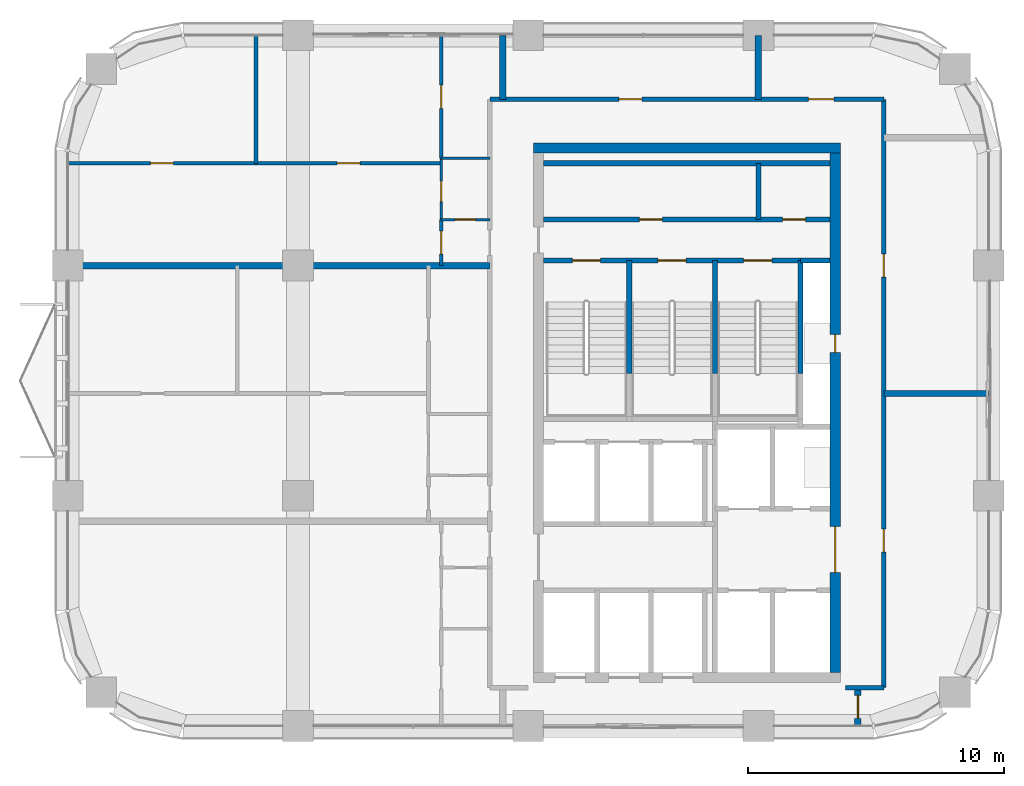
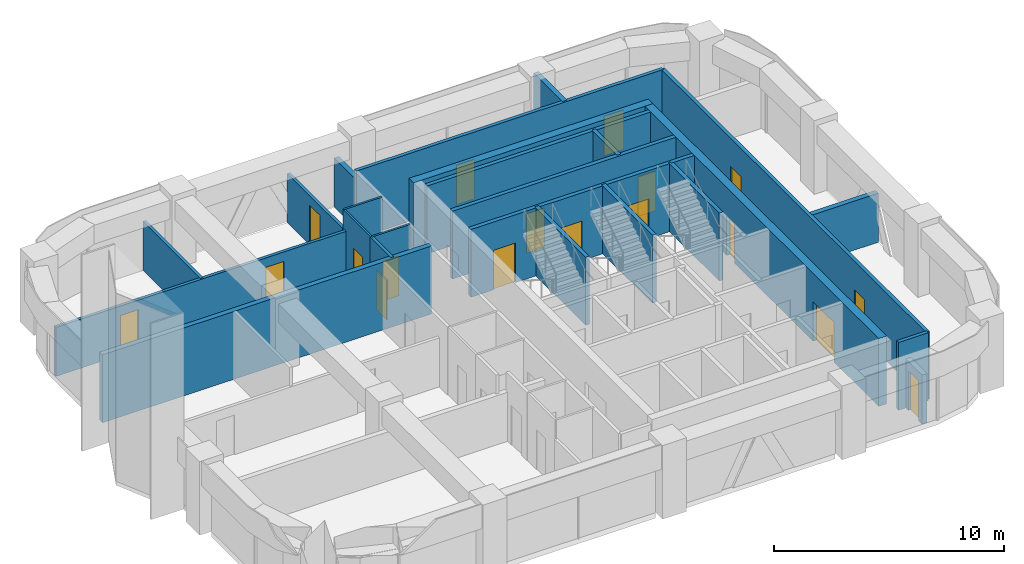
# One storey, part 8 of 10: 25 walls, 18 doors, 18 openings.
"""IFC4 building model written with IfcOpenShell, lengths in metres."""

from ifc_helpers import new_model, si_unit, direction, frame, frame_2d, origin, place, context, subcontext, project, spatial, rectangle, extrude, material, layer, layer_set, type_object, element, fill, save


model = new_model("IFC4")

# Units and contexts
model_context = context("Model", 3, precision=1e-05, world=origin(), true_north=direction((0.0, 1.0)))
body_context = subcontext(model_context, "Body", "Model", "MODEL_VIEW")
ifc_project = project(units=[si_unit("LENGTHUNIT", "METRE"), si_unit("AREAUNIT", "SQUARE_METRE"), si_unit("VOLUMEUNIT", "CUBIC_METRE"), si_unit("PLANEANGLEUNIT", "RADIAN"), si_unit("MASSUNIT", "GRAM", prefix="KILO")], contexts=[model_context])

# Site, building, storey
site_placement = place(None, origin())
site = spatial("IfcSite", under=ifc_project, at=site_placement, CompositionType="ELEMENT")
building_placement = place(site_placement, origin())
building = spatial("IfcBuilding", under=site, at=building_placement, Name="Tessera Arch", CompositionType="ELEMENT")
storey_placement = place(building_placement, frame((0.0, 0.0, 238.39990234375)))
storey = spatial("IfcBuildingStorey", under=building, at=storey_placement, Name="L57", CompositionType="ELEMENT", Elevation=238.39990234375)

# Wall
ifc_material_1 = material(Name="Gypsum board on steel stud", Category="steel")
ifc_layer_1 = layer(ifc_material_1, 0.125)
ifc_layer_set_1 = layer_set([ifc_layer_1], Name="Core partition 125 EI 60")
wall_type_1 = type_object("IfcWallType", Name="Core partition 125 EI 60", PredefinedType="PARTITIONING", material=ifc_layer_set_1)
wall_1_placement = place(storey_placement, frame((45.0, 46.800048828125, 0.0), z_axis=(0.0, 0.0, 1.0), x_axis=(0.0, 1.0, 0.0)))
element("IfcWall", 1, at=wall_1_placement, inside=storey, type_object=wall_type_1, Name="L57 C1 partition wall 12", PredefinedType="PARTITIONING", context=body_context, shape_type="SweptSolid", body=[
    extrude(rectangle(XDim=2.199951171875, YDim=0.199951171875, at=frame_2d((1.10009765625, 0.0))), origin(), (0.0, 0.0, 1.0), 3.60009765625),
])

# Wall, openings, doors
wall_2_placement = place(storey_placement, frame((36.60009765625, 46.800048828125, 0.0), z_axis=(0.0, 0.0, 1.0), x_axis=(1.0, 0.0, 0.0)))
wall_2 = element("IfcWall", 2, at=wall_2_placement, inside=storey, type_object=wall_type_1, Name="L57 C1 partition wall 31", PredefinedType="PARTITIONING", context=body_context, shape_type="SweptSolid", body=[
    extrude(rectangle(XDim=11.199951171875, YDim=0.199951171875, at=frame_2d((5.60009765625, 0.0))), origin(), (0.0, 0.0, 1.0), 3.60009765625),
])
opening_1_placement = place(wall_2_placement, frame((3.75, 0.0, 0.0)))
opening_1 = element("IfcOpeningElement", 3, at=opening_1_placement, cuts=wall_2, Name="Opening L57-C18", PredefinedType="OPENING", context=body_context, shape_type="SweptSolid", body=[
    extrude(rectangle(XDim=0.89990234375, YDim=2.10009765625, at=frame_2d((0.449951171875, 1.050048828125))), frame((0.0, 0.10986328125, 0.0), z_axis=(0.0, -1.0, 0.0), x_axis=(1.0, 0.0, 0.0)), (0.0, 0.0, 1.0), 0.219970703125),
])
opening_2_placement = place(wall_2_placement, frame((9.35009765625, 0.0, 0.0)))
opening_2 = element("IfcOpeningElement", 4, at=opening_2_placement, cuts=wall_2, Name="Opening L57-C19", PredefinedType="OPENING", context=body_context, shape_type="SweptSolid", body=[
    extrude(rectangle(XDim=0.89990234375, YDim=2.10009765625, at=frame_2d((0.449951171875, 1.050048828125))), frame((0.0, 0.10986328125, 0.0), z_axis=(0.0, -1.0, 0.0), x_axis=(1.0, 0.0, 0.0)), (0.0, 0.0, 1.0), 0.219970703125),
])
ifc_material_2 = material(Name="Steel door leaf", Category="steel")
door_type_1 = type_object("IfcDoorType", Name="Store door FD30S 900 x 2100", OperationType="SINGLE_SWING_LEFT", PredefinedType="DOOR", material=ifc_material_2)
door_1_placement = place(opening_1_placement, origin())
door_1 = element("IfcDoor", 5, at=door_1_placement, inside=storey, type_object=door_type_1, Name="L57 C1 door 18 C18 type D09", OperationType="SINGLE_SWING_LEFT", OverallHeight=2.10009765625, OverallWidth=0.89990234375, PredefinedType="DOOR", context=body_context, shape_type="SweptSolid", body=[
    extrude(rectangle(XDim=0.89990234375, YDim=2.10009765625, at=frame_2d((0.449951171875, 1.050048828125))), frame((0.0, 0.02490234375, 0.0), z_axis=(0.0, -1.0, 0.0), x_axis=(1.0, 0.0, 0.0)), (0.0, 0.0, 1.0), 0.050048828125),
])
fill(opening_1, door_1)
door_2_placement = place(opening_2_placement, origin())
door_2 = element("IfcDoor", 6, at=door_2_placement, inside=storey, type_object=door_type_1, Name="L57 C1 door 19 C19 type D09", OperationType="SINGLE_SWING_RIGHT", OverallHeight=2.10009765625, OverallWidth=0.89990234375, PredefinedType="DOOR", context=body_context, shape_type="SweptSolid", body=[
    extrude(rectangle(XDim=0.89990234375, YDim=2.10009765625, at=frame_2d((0.449951171875, 1.050048828125))), frame((0.0, 0.02490234375, 0.0), z_axis=(0.0, -1.0, 0.0), x_axis=(1.0, 0.0, 0.0)), (0.0, 0.0, 1.0), 0.050048828125),
])
fill(opening_2, door_2)

# Walls
wall_3_placement = place(storey_placement, frame((36.60009765625, 49.0, 0.0), z_axis=(0.0, 0.0, 1.0), x_axis=(1.0, 0.0, 0.0)))
element("IfcWall", 7, at=wall_3_placement, inside=storey, type_object=wall_type_1, Name="L57 C1 partition wall 32", PredefinedType="PARTITIONING", context=body_context, shape_type="SweptSolid", body=[
    extrude(rectangle(XDim=11.199951171875, YDim=0.199951171875, at=frame_2d((5.60009765625, 0.0))), origin(), (0.0, 0.0, 1.0), 3.60009765625),
])
ifc_material_3 = material(Name="Concrete C50/60", Category="concrete")
ifc_layer_2 = layer(ifc_material_3, 0.39990234375)
ifc_layer_set_2 = layer_set([ifc_layer_2], Name="Core shell wall 400 C50-60")
wall_type_2 = type_object("IfcWallType", Name="Core shell wall 400 C50-60", PredefinedType="SHEAR", material=ifc_layer_set_2)
wall_4_placement = place(storey_placement, frame((36.199951171875, 49.60009765625, 0.0), z_axis=(0.0, 0.0, 1.0), x_axis=(1.0, 0.0, 0.0)))
element("IfcWall", 8, at=wall_4_placement, inside=storey, type_object=wall_type_2, Name="L57 C1 core wall N", PredefinedType="SHEAR", context=body_context, shape_type="SweptSolid", body=[
    extrude(rectangle(XDim=12.0, YDim=0.39990234375, at=frame_2d((6.0, 0.0))), origin(), (0.0, 0.0, 1.0), 3.60009765625),
])

# Wall, openings, doors
wall_5_placement = place(storey_placement, frame((48.0, 29.10009765625, 0.0), z_axis=(0.0, 0.0, 1.0), x_axis=(0.0, 1.0, 0.0)))
wall_5 = element("IfcWall", 9, at=wall_5_placement, inside=storey, type_object=wall_type_2, Name="L57 C1 core wall E", PredefinedType="SHEAR", context=body_context, shape_type="SweptSolid", body=[
    extrude(rectangle(XDim=20.2998046875, YDim=0.39990234375, at=frame_2d((10.14990234375, 0.0))), origin(), (0.0, 0.0, 1.0), 3.60009765625),
])
opening_3_placement = place(wall_5_placement, frame((12.5, 0.0, 0.0)))
opening_3 = element("IfcOpeningElement", 10, at=opening_3_placement, cuts=wall_5, Name="Opening L57-C14", PredefinedType="OPENING", context=body_context, shape_type="SweptSolid", body=[
    extrude(rectangle(XDim=0.699951171875, YDim=2.10009765625, at=frame_2d((0.35009765625, 1.050048828125))), frame((0.0, 0.2099609375, 0.0), z_axis=(0.0, -1.0, 0.0), x_axis=(1.0, 0.0, 0.0)), (0.0, 0.0, 1.0), 0.419921875),
])
opening_4_placement = place(wall_5_placement, frame((3.89990234375, 0.0, 0.0)))
opening_4 = element("IfcOpeningElement", 11, at=opening_4_placement, cuts=wall_5, Name="Opening L57-C15", PredefinedType="OPENING", context=body_context, shape_type="SweptSolid", body=[
    extrude(rectangle(XDim=1.800048828125, YDim=2.10009765625, at=frame_2d((0.89990234375, 1.050048828125))), frame((0.0, 0.2099609375, 0.0), z_axis=(0.0, -1.0, 0.0), x_axis=(1.0, 0.0, 0.0)), (0.0, 0.0, 1.0), 0.419921875),
])
ifc_material_4 = material(Name="Glazed steel door leaf", Category="steel")
door_type_2 = type_object("IfcDoorType", Name="Lobby double door FD60 1800 x 2100", OperationType="DOUBLE_DOOR_SINGLE_SWING", PredefinedType="DOOR", material=ifc_material_4)
door_3_placement = place(opening_4_placement, origin())
door_3 = element("IfcDoor", 12, at=door_3_placement, inside=storey, type_object=door_type_2, Name="L57 C1 door 15 C15 type D19", OperationType="DOUBLE_DOOR_SINGLE_SWING", OverallHeight=2.10009765625, OverallWidth=1.800048828125, PredefinedType="DOOR", context=body_context, shape_type="SweptSolid", body=[
    extrude(rectangle(XDim=1.800048828125, YDim=2.10009765625, at=frame_2d((0.89990234375, 1.050048828125))), frame((0.0, 0.02490234375, 0.0), z_axis=(0.0, -1.0, 0.0), x_axis=(1.0, 0.0, 0.0)), (0.0, 0.0, 1.0), 0.050048828125),
])
fill(opening_4, door_3)
ifc_material_5 = material(Name="Steel door leaf", Category="steel")
door_type_3 = type_object("IfcDoorType", Name="Service shaft door FD60 700 x 2100", OperationType="SINGLE_SWING_LEFT", PredefinedType="DOOR", material=ifc_material_5)
door_4_placement = place(opening_3_placement, origin())
door_4 = element("IfcDoor", 13, at=door_4_placement, inside=storey, type_object=door_type_3, Name="L57 C1 door 14 C14 type D07", OperationType="SINGLE_SWING_RIGHT", OverallHeight=2.10009765625, OverallWidth=0.699951171875, PredefinedType="DOOR", context=body_context, shape_type="SweptSolid", body=[
    extrude(rectangle(XDim=0.699951171875, YDim=2.10009765625, at=frame_2d((0.35009765625, 1.050048828125))), frame((0.0, 0.02490234375, 0.0), z_axis=(0.0, -1.0, 0.0), x_axis=(1.0, 0.0, 0.0)), (0.0, 0.0, 1.0), 0.050048828125),
])
fill(opening_3, door_4)

# Wall
ifc_material_6 = material(Name="Gypsum board on deep steel stud with mineral wool", Category="steel")
ifc_layer_3 = layer(ifc_material_6, 0.175048828125)
ifc_layer_set_3 = layer_set([ifc_layer_3], Name="Corridor wall 175 EI 60")
wall_type_3 = type_object("IfcWallType", Name="Corridor wall 175 EI 60", PredefinedType="PARTITIONING", material=ifc_layer_set_3)
wall_6_placement = place(storey_placement, frame((48.39990234375, 28.5, 0.0), z_axis=(0.0, 0.0, 1.0), x_axis=(1.0, 0.0, 0.0)))
element("IfcWall", 14, at=wall_6_placement, inside=storey, type_object=wall_type_3, Name="L57 partition 2", PredefinedType="PARTITIONING", context=body_context, shape_type="SweptSolid", body=[
    extrude(rectangle(XDim=1.5, YDim=0.175048828125, at=frame_2d((0.75, 0.0))), origin(), (0.0, 0.0, 1.0), 3.60009765625),
])

# Wall, openings, doors
wall_7_placement = place(storey_placement, frame((34.5, 51.5, 0.0), z_axis=(0.0, 0.0, 1.0), x_axis=(1.0, 0.0, 0.0)))
wall_7 = element("IfcWall", 15, at=wall_7_placement, inside=storey, type_object=wall_type_3, Name="L57 partition 3", PredefinedType="PARTITIONING", context=body_context, shape_type="SweptSolid", body=[
    extrude(rectangle(XDim=15.39990234375, YDim=0.175048828125, at=frame_2d((7.699951171875, 0.0))), origin(), (0.0, 0.0, 1.0), 3.60009765625),
])
opening_5_placement = place(wall_7_placement, frame((12.449951171875, 0.0, 0.0)))
opening_5 = element("IfcOpeningElement", 16, at=opening_5_placement, cuts=wall_7, Name="Opening L57-D022", PredefinedType="OPENING", context=body_context, shape_type="SweptSolid", body=[
    extrude(rectangle(XDim=1.0, YDim=2.10009765625, at=frame_2d((0.5, 1.050048828125))), frame((0.0, 0.097412109375, 0.0), z_axis=(0.0, -1.0, 0.0), x_axis=(1.0, 0.0, 0.0)), (0.0, 0.0, 1.0), 0.195068359375),
])
opening_6_placement = place(wall_7_placement, frame((5.050048828125, 0.0, 0.0)))
opening_6 = element("IfcOpeningElement", 17, at=opening_6_placement, cuts=wall_7, Name="Opening L57-D023", PredefinedType="OPENING", context=body_context, shape_type="SweptSolid", body=[
    extrude(rectangle(XDim=0.89990234375, YDim=2.10009765625, at=frame_2d((0.449951171875, 1.050048828125))), frame((0.0, 0.097412109375, 0.0), z_axis=(0.0, -1.0, 0.0), x_axis=(1.0, 0.0, 0.0)), (0.0, 0.0, 1.0), 0.195068359375),
])
ifc_material_7 = material(Name="Fire-rated door leaf")
door_type_4 = type_object("IfcDoorType", Name="Entrance door FD30S 1000 x 2100", OperationType="SINGLE_SWING_LEFT", PredefinedType="DOOR", material=ifc_material_7)
door_5_placement = place(opening_5_placement, origin())
door_5 = element("IfcDoor", 18, at=door_5_placement, inside=storey, type_object=door_type_4, Name="L57 door D022 type D03", OperationType="SINGLE_SWING_LEFT", OverallHeight=2.10009765625, OverallWidth=1.0, PredefinedType="DOOR", context=body_context, shape_type="SweptSolid", body=[
    extrude(rectangle(XDim=1.0, YDim=2.10009765625, at=frame_2d((0.5, 1.050048828125))), frame((0.0, 0.02490234375, 0.0), z_axis=(0.0, -1.0, 0.0), x_axis=(1.0, 0.0, 0.0)), (0.0, 0.0, 1.0), 0.050048828125),
])
fill(opening_5, door_5)
ifc_material_8 = material(Name="Timber door leaf", Category="wood")
door_type_5 = type_object("IfcDoorType", Name="Room door 900 x 2100", OperationType="SINGLE_SWING_LEFT", PredefinedType="DOOR", material=ifc_material_8)
door_6_placement = place(opening_6_placement, origin())
door_6 = element("IfcDoor", 19, at=door_6_placement, inside=storey, type_object=door_type_5, Name="L57 door D023 type D01", OperationType="SINGLE_SWING_RIGHT", OverallHeight=2.10009765625, OverallWidth=0.89990234375, PredefinedType="DOOR", context=body_context, shape_type="SweptSolid", body=[
    extrude(rectangle(XDim=0.89990234375, YDim=2.10009765625, at=frame_2d((0.449951171875, 1.050048828125))), frame((0.0, 0.02490234375, 0.0), z_axis=(0.0, -1.0, 0.0), x_axis=(1.0, 0.0, 0.0)), (0.0, 0.0, 1.0), 0.050048828125),
])
fill(opening_6, door_6)

wall_8_placement = place(storey_placement, frame((49.89990234375, 28.5, 0.0), z_axis=(0.0, 0.0, 1.0), x_axis=(0.0, 1.0, 0.0)))
wall_8 = element("IfcWall", 20, at=wall_8_placement, inside=storey, type_object=wall_type_3, Name="L57 partition 5", PredefinedType="PARTITIONING", context=body_context, shape_type="SweptSolid", body=[
    extrude(rectangle(XDim=23.0, YDim=0.175048828125, at=frame_2d((11.5, 0.0))), origin(), (0.0, 0.0, 1.0), 3.60009765625),
])
opening_7_placement = place(wall_8_placement, frame((5.300048828125, 0.0, 0.0)))
opening_7 = element("IfcOpeningElement", 21, at=opening_7_placement, cuts=wall_8, Name="Opening L57-D006", PredefinedType="OPENING", context=body_context, shape_type="SweptSolid", body=[
    extrude(rectangle(XDim=0.89990234375, YDim=2.10009765625, at=frame_2d((0.449951171875, 1.050048828125))), frame((0.0, 0.097412109375, 0.0), z_axis=(0.0, -1.0, 0.0), x_axis=(1.0, 0.0, 0.0)), (0.0, 0.0, 1.0), 0.195068359375),
])
opening_8_placement = place(wall_8_placement, frame((16.050048828125, 0.0, 0.0)))
opening_8 = element("IfcOpeningElement", 22, at=opening_8_placement, cuts=wall_8, Name="Opening L57-D014", PredefinedType="OPENING", context=body_context, shape_type="SweptSolid", body=[
    extrude(rectangle(XDim=0.89990234375, YDim=2.10009765625, at=frame_2d((0.449951171875, 1.050048828125))), frame((0.0, 0.097412109375, 0.0), z_axis=(0.0, -1.0, 0.0), x_axis=(1.0, 0.0, 0.0)), (0.0, 0.0, 1.0), 0.195068359375),
])
door_7_placement = place(opening_7_placement, origin())
door_7 = element("IfcDoor", 23, at=door_7_placement, inside=storey, type_object=door_type_5, Name="L57 door D006 type D01", OperationType="SINGLE_SWING_RIGHT", OverallHeight=2.10009765625, OverallWidth=0.89990234375, PredefinedType="DOOR", context=body_context, shape_type="SweptSolid", body=[
    extrude(rectangle(XDim=0.89990234375, YDim=2.10009765625, at=frame_2d((0.449951171875, 1.050048828125))), frame((0.0, 0.02490234375, 0.0), z_axis=(0.0, -1.0, 0.0), x_axis=(1.0, 0.0, 0.0)), (0.0, 0.0, 1.0), 0.050048828125),
])
fill(opening_7, door_7)
door_8_placement = place(opening_8_placement, origin())
door_8 = element("IfcDoor", 24, at=door_8_placement, inside=storey, type_object=door_type_5, Name="L57 door D014 type D01", OperationType="SINGLE_SWING_RIGHT", OverallHeight=2.10009765625, OverallWidth=0.89990234375, PredefinedType="DOOR", context=body_context, shape_type="SweptSolid", body=[
    extrude(rectangle(XDim=0.89990234375, YDim=2.10009765625, at=frame_2d((0.449951171875, 1.050048828125))), frame((0.0, 0.02490234375, 0.0), z_axis=(0.0, -1.0, 0.0), x_axis=(1.0, 0.0, 0.0)), (0.0, 0.0, 1.0), 0.050048828125),
])
fill(opening_8, door_8)

ifc_material_9 = material(Name="Gypsum board on steel stud", Category="steel")
ifc_layer_4 = layer(ifc_material_9, 0.14990234375)
ifc_layer_set_4 = layer_set([ifc_layer_4], Name="Partition 150")
wall_type_4 = type_object("IfcWallType", Name="Partition 150", PredefinedType="PARTITIONING", material=ifc_layer_set_4)
wall_9_placement = place(storey_placement, frame((18.0, 49.0, 0.0), z_axis=(0.0, 0.0, 1.0), x_axis=(1.0, 0.0, 0.0)))
wall_9 = element("IfcWall", 25, at=wall_9_placement, inside=storey, type_object=wall_type_4, Name="L57 partition 7", PredefinedType="PARTITIONING", context=body_context, shape_type="SweptSolid", body=[
    extrude(rectangle(XDim=14.60009765625, YDim=0.14990234375, at=frame_2d((7.300048828125, 0.0))), origin(), (0.0, 0.0, 1.0), 2.60009765625),
])
opening_9_placement = place(wall_9_placement, frame((10.53271484375, 0.0, 0.0)))
opening_9 = element("IfcOpeningElement", 26, at=opening_9_placement, cuts=wall_9, Name="Opening L57-D020", PredefinedType="OPENING", context=body_context, shape_type="SweptSolid", body=[
    extrude(rectangle(XDim=0.89990234375, YDim=2.10009765625, at=frame_2d((0.449951171875, 1.050048828125))), frame((0.0, 0.0849609375, 0.0), z_axis=(0.0, -1.0, 0.0), x_axis=(1.0, 0.0, 0.0)), (0.0, 0.0, 1.0), 0.169921875),
])
opening_10_placement = place(wall_9_placement, frame((3.23291015625, 0.0, 0.0)))
opening_10 = element("IfcOpeningElement", 27, at=opening_10_placement, cuts=wall_9, Name="Opening L57-D021", PredefinedType="OPENING", context=body_context, shape_type="SweptSolid", body=[
    extrude(rectangle(XDim=0.89990234375, YDim=2.10009765625, at=frame_2d((0.449951171875, 1.050048828125))), frame((0.0, 0.0849609375, 0.0), z_axis=(0.0, -1.0, 0.0), x_axis=(1.0, 0.0, 0.0)), (0.0, 0.0, 1.0), 0.169921875),
])
door_9_placement = place(opening_9_placement, origin())
door_9 = element("IfcDoor", 28, at=door_9_placement, inside=storey, type_object=door_type_5, Name="L57 door D020 type D01", OperationType="SINGLE_SWING_RIGHT", OverallHeight=2.10009765625, OverallWidth=0.89990234375, PredefinedType="DOOR", context=body_context, shape_type="SweptSolid", body=[
    extrude(rectangle(XDim=0.89990234375, YDim=2.10009765625, at=frame_2d((0.449951171875, 1.050048828125))), frame((0.0, 0.02490234375, 0.0), z_axis=(0.0, -1.0, 0.0), x_axis=(1.0, 0.0, 0.0)), (0.0, 0.0, 1.0), 0.050048828125),
])
fill(opening_9, door_9)
door_10_placement = place(opening_10_placement, origin())
door_10 = element("IfcDoor", 29, at=door_10_placement, inside=storey, type_object=door_type_5, Name="L57 door D021 type D01", OperationType="SINGLE_SWING_RIGHT", OverallHeight=2.10009765625, OverallWidth=0.89990234375, PredefinedType="DOOR", context=body_context, shape_type="SweptSolid", body=[
    extrude(rectangle(XDim=0.89990234375, YDim=2.10009765625, at=frame_2d((0.449951171875, 1.050048828125))), frame((0.0, 0.02490234375, 0.0), z_axis=(0.0, -1.0, 0.0), x_axis=(1.0, 0.0, 0.0)), (0.0, 0.0, 1.0), 0.050048828125),
])
fill(opening_10, door_10)

# Wall
wall_10_placement = place(storey_placement, frame((25.365966796875, 49.0, 0.0), z_axis=(0.0, 0.0, 1.0), x_axis=(0.0, 1.0, 0.0)))
element("IfcWall", 30, at=wall_10_placement, inside=storey, type_object=wall_type_4, Name="L57 partition 9", PredefinedType="PARTITIONING", context=body_context, shape_type="SweptSolid", body=[
    extrude(rectangle(XDim=5.0, YDim=0.14990234375, at=frame_2d((2.5, 0.0))), origin(), (0.0, 0.0, 1.0), 2.60009765625),
])

# Wall, opening, door
wall_11_placement = place(storey_placement, frame((32.60009765625, 45.0, 0.0), z_axis=(0.0, 0.0, 1.0), x_axis=(0.0, 1.0, 0.0)))
wall_11 = element("IfcWall", 31, at=wall_11_placement, inside=storey, type_object=wall_type_4, Name="L57 partition 14", PredefinedType="PARTITIONING", context=body_context, shape_type="SweptSolid", body=[
    extrude(rectangle(XDim=1.800048828125, YDim=0.14990234375, at=frame_2d((0.89990234375, 0.0))), origin(), (0.0, 0.0, 1.0), 3.60009765625),
])
opening_11_placement = place(wall_11_placement, frame((0.449951171875, 0.0, 0.0)))
opening_11 = element("IfcOpeningElement", 32, at=opening_11_placement, cuts=wall_11, Name="Opening L57-D016", PredefinedType="OPENING", context=body_context, shape_type="SweptSolid", body=[
    extrude(rectangle(XDim=0.89990234375, YDim=2.10009765625, at=frame_2d((0.449951171875, 1.050048828125))), frame((0.0, 0.0849609375, 0.0), z_axis=(0.0, -1.0, 0.0), x_axis=(1.0, 0.0, 0.0)), (0.0, 0.0, 1.0), 0.169921875),
])
door_11_placement = place(opening_11_placement, origin())
door_11 = element("IfcDoor", 33, at=door_11_placement, inside=storey, type_object=door_type_5, Name="L57 door D016 type D01", OperationType="SINGLE_SWING_LEFT", OverallHeight=2.10009765625, OverallWidth=0.89990234375, PredefinedType="DOOR", context=body_context, shape_type="SweptSolid", body=[
    extrude(rectangle(XDim=0.89990234375, YDim=2.10009765625, at=frame_2d((0.449951171875, 1.050048828125))), frame((0.0, 0.02490234375, 0.0), z_axis=(0.0, -1.0, 0.0), x_axis=(1.0, 0.0, 0.0)), (0.0, 0.0, 1.0), 0.050048828125),
])
fill(opening_11, door_11)

wall_12_placement = place(storey_placement, frame((32.60009765625, 49.199951171875, 0.0), z_axis=(0.0, 0.0, 1.0), x_axis=(0.0, 1.0, 0.0)))
wall_12 = element("IfcWall", 34, at=wall_12_placement, inside=storey, type_object=wall_type_4, Name="L57 partition 15", PredefinedType="PARTITIONING", context=body_context, shape_type="SweptSolid", body=[
    extrude(rectangle(XDim=4.800048828125, YDim=0.14990234375, at=frame_2d((2.39990234375, 0.0))), origin(), (0.0, 0.0, 1.0), 2.60009765625),
])
opening_12_placement = place(wall_12_placement, frame((1.949951171875, 0.0, 0.0)))
opening_12 = element("IfcOpeningElement", 35, at=opening_12_placement, cuts=wall_12, Name="Opening L57-D019", PredefinedType="OPENING", context=body_context, shape_type="SweptSolid", body=[
    extrude(rectangle(XDim=0.89990234375, YDim=2.10009765625, at=frame_2d((0.449951171875, 1.050048828125))), frame((0.0, 0.0849609375, 0.0), z_axis=(0.0, -1.0, 0.0), x_axis=(1.0, 0.0, 0.0)), (0.0, 0.0, 1.0), 0.169921875),
])
door_12_placement = place(opening_12_placement, origin())
door_12 = element("IfcDoor", 36, at=door_12_placement, inside=storey, type_object=door_type_5, Name="L57 door D019 type D01", OperationType="SINGLE_SWING_LEFT", OverallHeight=2.10009765625, OverallWidth=0.89990234375, PredefinedType="DOOR", context=body_context, shape_type="SweptSolid", body=[
    extrude(rectangle(XDim=0.89990234375, YDim=2.10009765625, at=frame_2d((0.449951171875, 1.050048828125))), frame((0.0, 0.02490234375, 0.0), z_axis=(0.0, -1.0, 0.0), x_axis=(1.0, 0.0, 0.0)), (0.0, 0.0, 1.0), 0.050048828125),
])
fill(opening_12, door_12)

# Walls
ifc_material_10 = material(Name="Double gypsum board on twin steel stud with acoustic mineral wool", Category="steel")
ifc_layer_5 = layer(ifc_material_10, 0.25)
ifc_layer_set_5 = layer_set([ifc_layer_5], Name="Party wall 250 EI 60")
wall_type_5 = type_object("IfcWallType", Name="Party wall 250 EI 60", PredefinedType="PARTITIONING", material=ifc_layer_set_5)
wall_13_placement = place(storey_placement, frame((49.89990234375, 40.0, 0.0), z_axis=(0.0, 0.0, 1.0), x_axis=(1.0, 0.0, 0.0)))
element("IfcWall", 37, at=wall_13_placement, inside=storey, type_object=wall_type_5, Name="L57 partition 17", PredefinedType="PARTITIONING", context=body_context, shape_type="SweptSolid", body=[
    extrude(rectangle(XDim=4.10009765625, YDim=0.25, at=frame_2d((2.050048828125, 0.0))), origin(), (0.0, 0.0, 1.0), 2.60009765625),
])
wall_14_placement = place(storey_placement, frame((18.0, 45.0, 0.0), z_axis=(0.0, 0.0, 1.0), x_axis=(1.0, 0.0, 0.0)))
element("IfcWall", 38, at=wall_14_placement, inside=storey, type_object=wall_type_5, Name="L57 partition 18", PredefinedType="PARTITIONING", context=body_context, shape_type="SweptSolid", body=[
    extrude(rectangle(XDim=16.5, YDim=0.25, at=frame_2d((8.25, 0.0))), origin(), (0.0, 0.0, 1.0), 3.60009765625),
])
wall_15_placement = place(storey_placement, frame((35.0, 51.5, 0.0), z_axis=(0.0, 0.0, 1.0), x_axis=(0.0, 1.0, 0.0)))
element("IfcWall", 39, at=wall_15_placement, inside=storey, type_object=wall_type_5, Name="L57 partition 21", PredefinedType="PARTITIONING", context=body_context, shape_type="SweptSolid", body=[
    extrude(rectangle(XDim=2.5, YDim=0.25, at=frame_2d((1.25, 0.0))), origin(), (0.0, 0.0, 1.0), 2.60009765625),
])
wall_16_placement = place(storey_placement, frame((45.0, 51.5, 0.0), z_axis=(0.0, 0.0, 1.0), x_axis=(0.0, 1.0, 0.0)))
element("IfcWall", 40, at=wall_16_placement, inside=storey, type_object=wall_type_5, Name="L57 partition 22", PredefinedType="PARTITIONING", context=body_context, shape_type="SweptSolid", body=[
    extrude(rectangle(XDim=2.5, YDim=0.25, at=frame_2d((1.25, 0.0))), origin(), (0.0, 0.0, 1.0), 3.60009765625),
])

# Wall, opening, door
wall_17_placement = place(storey_placement, frame((48.888916015625, 27.0, 0.0), z_axis=(0.0, 0.0, 1.0), x_axis=(0.0, 1.0, 0.0)))
wall_17 = element("IfcWall", 41, at=wall_17_placement, inside=storey, type_object=wall_type_5, Name="L57 partition 23", PredefinedType="PARTITIONING", context=body_context, shape_type="SweptSolid", body=[
    extrude(rectangle(XDim=1.5, YDim=0.25, at=frame_2d((0.75, 0.0))), origin(), (0.0, 0.0, 1.0), 2.60009765625),
])
opening_13_placement = place(wall_17_placement, frame((0.300048828125, 0.0, 0.0)))
opening_13 = element("IfcOpeningElement", 42, at=opening_13_placement, cuts=wall_17, Name="Opening L57-D024", PredefinedType="OPENING", context=body_context, shape_type="SweptSolid", body=[
    extrude(rectangle(XDim=0.89990234375, YDim=2.10009765625, at=frame_2d((0.449951171875, 1.050048828125))), frame((0.0, 0.135009765625, 0.0), z_axis=(0.0, -1.0, 0.0), x_axis=(1.0, 0.0, 0.0)), (0.0, 0.0, 1.0), 0.27001953125),
])
door_13_placement = place(opening_13_placement, origin())
door_13 = element("IfcDoor", 43, at=door_13_placement, inside=storey, type_object=door_type_5, Name="L57 door D024 type D01", OperationType="SINGLE_SWING_RIGHT", OverallHeight=2.10009765625, OverallWidth=0.89990234375, PredefinedType="DOOR", context=body_context, shape_type="SweptSolid", body=[
    extrude(rectangle(XDim=0.89990234375, YDim=2.10009765625, at=frame_2d((0.449951171875, 1.050048828125))), frame((0.0, 0.02490234375, 0.0), z_axis=(0.0, -1.0, 0.0), x_axis=(1.0, 0.0, 0.0)), (0.0, 0.0, 1.0), 0.050048828125),
])
fill(opening_13, door_13)

# Walls
ifc_material_11 = material(Name="Concrete C40/50", Category="concrete")
ifc_layer_6 = layer(ifc_material_11, 0.199951171875)
ifc_layer_set_6 = layer_set([ifc_layer_6], Name="Shaft wall 200 EI 120")
wall_type_6 = type_object("IfcWallType", Name="Shaft wall 200 EI 120", PredefinedType="SOLIDWALL", material=ifc_layer_set_6)
wall_18_placement = place(storey_placement, frame((46.64990234375, 45.199951171875, 0.0), z_axis=(0.0, 0.0, 1.0), x_axis=(1.0, 0.0, 0.0)))
element("IfcWall", 44, at=wall_18_placement, inside=storey, type_object=wall_type_6, Name="L57 C1 shaft wall 29", PredefinedType="SOLIDWALL", context=body_context, shape_type="SweptSolid", body=[
    extrude(rectangle(XDim=1.150146484375, YDim=0.199951171875, at=frame_2d((0.5751953125, 0.0))), origin(), (0.0, 0.0, 1.0), 3.60009765625),
])
ifc_material_12 = material(Name="Concrete C40/50", Category="concrete")
ifc_layer_7 = layer(ifc_material_12, 0.199951171875)
ifc_layer_set_7 = layer_set([ifc_layer_7], Name="Stair well wall 200 REI 180")
wall_type_7 = type_object("IfcWallType", Name="Stair well wall 200 REI 180", PredefinedType="SOLIDWALL", material=ifc_layer_set_7)
for number, where, z_axis, x_axis, name in (
    (45, (39.949951171875, 40.780029296875, 0.0), (0.0, 0.0, 1.0), (0.0, 1.0, 0.0), "L57 C1 shaft wall 4"),
    (46, (43.300048828125, 40.780029296875, 0.0), (0.0, 0.0, 1.0), (0.0, 1.0, 0.0), "L57 C1 shaft wall 11"),
    (47, (46.64990234375, 40.780029296875, 0.0), (0.0, 0.0, 1.0), (0.0, 1.0, 0.0), "L57 C1 shaft wall 17"),
):
    element("IfcWall", number, at=place(storey_placement, frame(where, z_axis=z_axis, x_axis=x_axis)), inside=storey, type_object=wall_type_7, Name=name, PredefinedType="SOLIDWALL", context=body_context, shape_type="SweptSolid", body=[
        extrude(rectangle(XDim=4.419921875, YDim=0.199951171875, at=frame_2d((2.2099609375, 0.0))), origin(), (0.0, 0.0, 1.0), 3.60009765625),
    ])

# Wall, openings, doors
wall_19_placement = place(storey_placement, frame((36.60009765625, 45.199951171875, 0.0), z_axis=(0.0, 0.0, 1.0), x_axis=(1.0, 0.0, 0.0)))
wall_19 = element("IfcWall", 48, at=wall_19_placement, inside=storey, type_object=wall_type_7, Name="L57 C1 shaft wall 30", PredefinedType="SOLIDWALL", context=body_context, shape_type="SweptSolid", body=[
    extrude(rectangle(XDim=10.0498046875, YDim=0.199951171875, at=frame_2d((5.02490234375, 0.0))), origin(), (0.0, 0.0, 1.0), 3.60009765625),
])
opening_14_placement = place(wall_19_placement, frame((1.125, 0.0, 0.0)))
opening_14 = element("IfcOpeningElement", 49, at=opening_14_placement, cuts=wall_19, Name="Opening L57-C11", PredefinedType="OPENING", context=body_context, shape_type="SweptSolid", body=[
    extrude(rectangle(XDim=1.10009765625, YDim=2.10009765625, at=frame_2d((0.550048828125, 1.050048828125))), frame((0.0, 0.10986328125, 0.0), z_axis=(0.0, -1.0, 0.0), x_axis=(1.0, 0.0, 0.0)), (0.0, 0.0, 1.0), 0.219970703125),
])
opening_15_placement = place(wall_19_placement, frame((4.47509765625, 0.0, 0.0)))
opening_15 = element("IfcOpeningElement", 50, at=opening_15_placement, cuts=wall_19, Name="Opening L57-C12", PredefinedType="OPENING", context=body_context, shape_type="SweptSolid", body=[
    extrude(rectangle(XDim=1.10009765625, YDim=2.10009765625, at=frame_2d((0.550048828125, 1.050048828125))), frame((0.0, 0.10986328125, 0.0), z_axis=(0.0, -1.0, 0.0), x_axis=(1.0, 0.0, 0.0)), (0.0, 0.0, 1.0), 0.219970703125),
])
opening_16_placement = place(wall_19_placement, frame((7.824951171875, 0.0, 0.0)))
opening_16 = element("IfcOpeningElement", 51, at=opening_16_placement, cuts=wall_19, Name="Opening L57-C13", PredefinedType="OPENING", context=body_context, shape_type="SweptSolid", body=[
    extrude(rectangle(XDim=1.10009765625, YDim=2.10009765625, at=frame_2d((0.550048828125, 1.050048828125))), frame((0.0, 0.10986328125, 0.0), z_axis=(0.0, -1.0, 0.0), x_axis=(1.0, 0.0, 0.0)), (0.0, 0.0, 1.0), 0.219970703125),
])
ifc_material_13 = material(Name="Steel door leaf", Category="steel")
door_type_6 = type_object("IfcDoorType", Name="Stair door FD60 1100 x 2100", OperationType="SINGLE_SWING_LEFT", PredefinedType="DOOR", material=ifc_material_13)
door_14_placement = place(opening_14_placement, origin())
door_14 = element("IfcDoor", 52, at=door_14_placement, inside=storey, type_object=door_type_6, Name="L57 C1 door 11 C11 type D05", OperationType="SINGLE_SWING_LEFT", OverallHeight=2.10009765625, OverallWidth=1.10009765625, PredefinedType="DOOR", context=body_context, shape_type="SweptSolid", body=[
    extrude(rectangle(XDim=1.10009765625, YDim=2.10009765625, at=frame_2d((0.550048828125, 1.050048828125))), frame((0.0, 0.02490234375, 0.0), z_axis=(0.0, -1.0, 0.0), x_axis=(1.0, 0.0, 0.0)), (0.0, 0.0, 1.0), 0.050048828125),
])
fill(opening_14, door_14)
door_15_placement = place(opening_15_placement, origin())
door_15 = element("IfcDoor", 53, at=door_15_placement, inside=storey, type_object=door_type_6, Name="L57 C1 door 12 C12 type D05", OperationType="SINGLE_SWING_RIGHT", OverallHeight=2.10009765625, OverallWidth=1.10009765625, PredefinedType="DOOR", context=body_context, shape_type="SweptSolid", body=[
    extrude(rectangle(XDim=1.10009765625, YDim=2.10009765625, at=frame_2d((0.550048828125, 1.050048828125))), frame((0.0, 0.02490234375, 0.0), z_axis=(0.0, -1.0, 0.0), x_axis=(1.0, 0.0, 0.0)), (0.0, 0.0, 1.0), 0.050048828125),
])
fill(opening_15, door_15)
door_16_placement = place(opening_16_placement, origin())
door_16 = element("IfcDoor", 54, at=door_16_placement, inside=storey, type_object=door_type_6, Name="L57 C1 door 13 C13 type D05", OperationType="SINGLE_SWING_RIGHT", OverallHeight=2.10009765625, OverallWidth=1.10009765625, PredefinedType="DOOR", context=body_context, shape_type="SweptSolid", body=[
    extrude(rectangle(XDim=1.10009765625, YDim=2.10009765625, at=frame_2d((0.550048828125, 1.050048828125))), frame((0.0, 0.02490234375, 0.0), z_axis=(0.0, -1.0, 0.0), x_axis=(1.0, 0.0, 0.0)), (0.0, 0.0, 1.0), 0.050048828125),
])
fill(opening_16, door_16)

# Wall, opening, door
ifc_material_14 = material(Name="Moisture-resistant board on pre-plumbed steel stud", Category="steel")
ifc_layer_8 = layer(ifc_material_14, 0.10009765625)
ifc_layer_set_8 = layer_set([ifc_layer_8], Name="Wet wall 100")
wall_type_8 = type_object("IfcWallType", Name="Wet wall 100", PredefinedType="PARTITIONING", material=ifc_layer_set_8)
wall_20_placement = place(storey_placement, frame((32.60009765625, 46.800048828125, 0.0), z_axis=(0.0, 0.0, 1.0), x_axis=(1.0, 0.0, 0.0)))
wall_20 = element("IfcWall", 55, at=wall_20_placement, inside=storey, type_object=wall_type_8, Name="L57 partition 28", PredefinedType="PARTITIONING", context=body_context, shape_type="SweptSolid", body=[
    extrude(rectangle(XDim=1.89990234375, YDim=0.10009765625, at=frame_2d((0.949951171875, 0.0))), origin(), (0.0, 0.0, 1.0), 3.60009765625),
])
opening_17_placement = place(wall_20_placement, frame((0.550048828125, 0.0, 0.0)))
opening_17 = element("IfcOpeningElement", 56, at=opening_17_placement, cuts=wall_20, Name="Opening L57-D017", PredefinedType="OPENING", context=body_context, shape_type="SweptSolid", body=[
    extrude(rectangle(XDim=0.800048828125, YDim=2.10009765625, at=frame_2d((0.39990234375, 1.050048828125))), frame((0.0, 0.06005859375, 0.0), z_axis=(0.0, -1.0, 0.0), x_axis=(1.0, 0.0, 0.0)), (0.0, 0.0, 1.0), 0.1201171875),
])
ifc_material_15 = material(Name="Timber door leaf", Category="wood")
door_type_7 = type_object("IfcDoorType", Name="En-suite door 800 x 2100", OperationType="SINGLE_SWING_LEFT", PredefinedType="DOOR", material=ifc_material_15)
door_17_placement = place(opening_17_placement, origin())
door_17 = element("IfcDoor", 57, at=door_17_placement, inside=storey, type_object=door_type_7, Name="L57 door D017 type D02", OperationType="SINGLE_SWING_RIGHT", OverallHeight=2.10009765625, OverallWidth=0.800048828125, PredefinedType="DOOR", context=body_context, shape_type="SweptSolid", body=[
    extrude(rectangle(XDim=0.800048828125, YDim=2.10009765625, at=frame_2d((0.39990234375, 1.050048828125))), frame((0.0, 0.02490234375, 0.0), z_axis=(0.0, -1.0, 0.0), x_axis=(1.0, 0.0, 0.0)), (0.0, 0.0, 1.0), 0.050048828125),
])
fill(opening_17, door_17)

# Wall
wall_21_placement = place(storey_placement, frame((32.60009765625, 49.199951171875, 0.0), z_axis=(0.0, 0.0, 1.0), x_axis=(1.0, 0.0, 0.0)))
element("IfcWall", 58, at=wall_21_placement, inside=storey, type_object=wall_type_8, Name="L57 partition 29", PredefinedType="PARTITIONING", context=body_context, shape_type="SweptSolid", body=[
    extrude(rectangle(XDim=1.89990234375, YDim=0.10009765625, at=frame_2d((0.949951171875, 0.0))), origin(), (0.0, 0.0, 1.0), 3.60009765625),
])

# Wall, opening, door
wall_22_placement = place(storey_placement, frame((32.60009765625, 46.800048828125, 0.0), z_axis=(0.0, 0.0, 1.0), x_axis=(0.0, 1.0, 0.0)))
wall_22 = element("IfcWall", 59, at=wall_22_placement, inside=storey, type_object=wall_type_8, Name="L57 partition 32", PredefinedType="PARTITIONING", context=body_context, shape_type="SweptSolid", body=[
    extrude(rectangle(XDim=2.39990234375, YDim=0.10009765625, at=frame_2d((1.199951171875, 0.0))), origin(), (0.0, 0.0, 1.0), 3.60009765625),
])
opening_18_placement = place(wall_22_placement, frame((0.699951171875, 0.0, 0.0)))
opening_18 = element("IfcOpeningElement", 60, at=opening_18_placement, cuts=wall_22, Name="Opening L57-D018", PredefinedType="OPENING", context=body_context, shape_type="SweptSolid", body=[
    extrude(rectangle(XDim=0.800048828125, YDim=2.10009765625, at=frame_2d((0.39990234375, 1.050048828125))), frame((0.0, 0.06005859375, 0.0), z_axis=(0.0, -1.0, 0.0), x_axis=(1.0, 0.0, 0.0)), (0.0, 0.0, 1.0), 0.1201171875),
])
door_18_placement = place(opening_18_placement, origin())
door_18 = element("IfcDoor", 61, at=door_18_placement, inside=storey, type_object=door_type_7, Name="L57 door D018 type D02", OperationType="SINGLE_SWING_RIGHT", OverallHeight=2.10009765625, OverallWidth=0.800048828125, PredefinedType="DOOR", context=body_context, shape_type="SweptSolid", body=[
    extrude(rectangle(XDim=0.800048828125, YDim=2.10009765625, at=frame_2d((0.39990234375, 1.050048828125))), frame((0.0, 0.02490234375, 0.0), z_axis=(0.0, -1.0, 0.0), x_axis=(1.0, 0.0, 0.0)), (0.0, 0.0, 1.0), 0.050048828125),
])
fill(opening_18, door_18)

save(model, "model.ifc")
